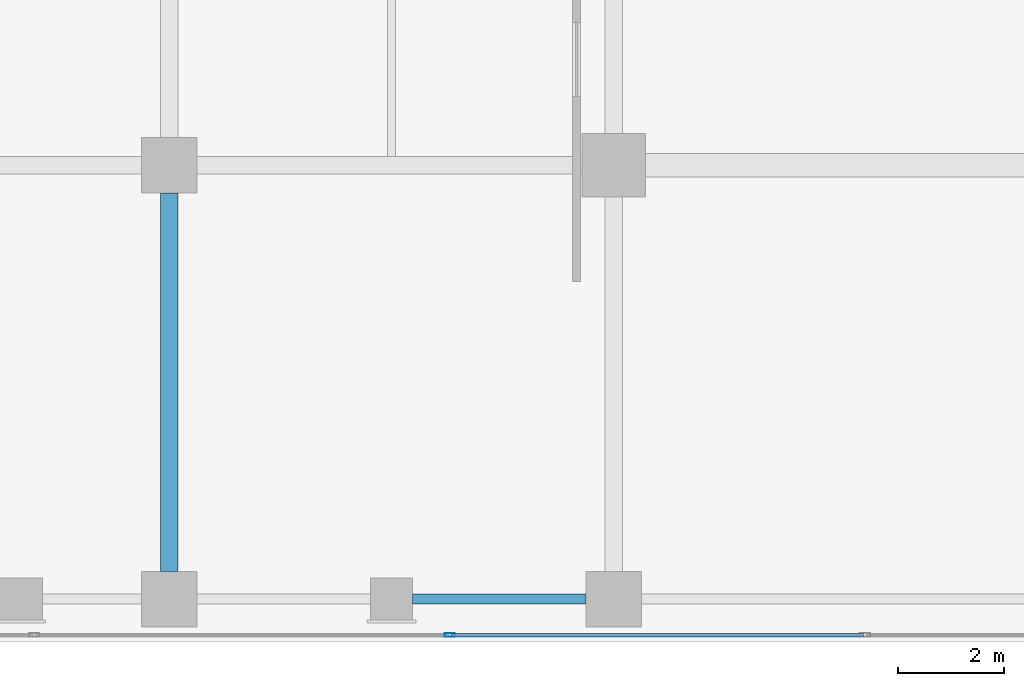
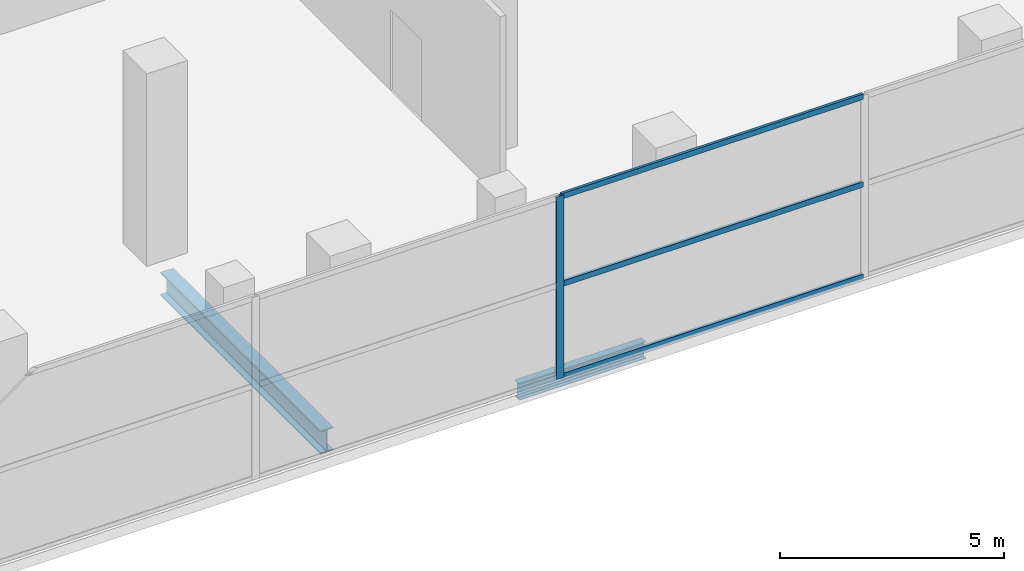
# One storey, part 6 of 40: 4 members, 2 beams, 1 element without a shape of its own.
"""IFC4 building model written with IfcOpenShell, lengths in metres."""

from ifc_helpers import new_model, si_unit, direction, frame, origin, origin_2d, place, context, subcontext, project, spatial, hollow_rectangle, i_section, extrude, material, layer, layer_set, material_profile, profile_set, type_object, element, aggregate, save


model = new_model("IFC4")

# Units and contexts
model_context = context("Model", 3, precision=1e-05, world=origin(), true_north=direction((0.0, 1.0)))
body_context = subcontext(model_context, "Body", "Model", "MODEL_VIEW")
ifc_project = project(units=[si_unit("LENGTHUNIT", "METRE"), si_unit("AREAUNIT", "SQUARE_METRE"), si_unit("VOLUMEUNIT", "CUBIC_METRE"), si_unit("PLANEANGLEUNIT", "RADIAN"), si_unit("MASSUNIT", "GRAM", prefix="KILO")], contexts=[model_context])

# Site, building, storey
site_placement = place(None, origin())
site = spatial("IfcSite", under=ifc_project, at=site_placement, CompositionType="ELEMENT")
building_placement = place(site_placement, origin())
building = spatial("IfcBuilding", under=site, at=building_placement, Name="Maruvema Waterfront Hotel and Observation Tower", CompositionType="ELEMENT")
storey_placement = place(building_placement, frame((0.0, 0.0, 5.60009765625)))
storey = spatial("IfcBuildingStorey", under=building, at=storey_placement, Name="L01", CompositionType="ELEMENT", Elevation=5.60009765625)

# Curtain wall, members
ifc_material_1 = material(Name="Anodised bronze aluminium and solar-control low-E IGU", Category="aluminium")
ifc_layer = layer(ifc_material_1, 0.159912109375, Name="Podium Waterfront Storefront Curtain Wall System CW-01")
ifc_layer_set = layer_set([ifc_layer], Name="Anodised bronze aluminium and solar-control low-E IGU")
curtain_wall_type = type_object("IfcCurtainWallType", Name="Podium Waterfront Storefront Curtain Wall System CW-01", PredefinedType="USERDEFINED", material=ifc_layer_set)
curtain_wall_placement = place(storey_placement, origin())
curtain_wall = element("IfcCurtainWall", 1, at=curtain_wall_placement, inside=storey, type_object=curtain_wall_type, Name="L01 Curtain Wall CW-L01-S", ObjectType="UNITISED CURTAIN WALL", PredefinedType="USERDEFINED")
ifc_material_2 = material(Name="Anodised architectural bronze aluminium", Category="aluminium")
ifc_material_profile_1 = material_profile(ifc_material_2, hollow_rectangle(XDim=0.070068359375, YDim=0.14990234375, WallThickness=0.00390625, at=origin_2d()), Name="ALU-T70x150")
ifc_profile_set_1 = profile_set([ifc_material_profile_1], Name="Anodised architectural bronze aluminium")
member_type_1 = type_object("IfcMemberType", Name="Curtain Wall Horizontal Transom ALU-T70x150", PredefinedType="USERDEFINED", material=ifc_profile_set_1)
member_1_placement = place(storey_placement, frame((22.1298828125, 0.1201171875, 0.02978515625), z_axis=(1.0, 0.0, 0.0), x_axis=(0.0, 1.0, 0.0)))
member_1 = element("IfcMember", 2, at=member_1_placement, type_object=member_type_1, Name="CW-01 transom 3.1", ObjectType="TRANSOM", PredefinedType="USERDEFINED", context=body_context, shape_type="SweptSolid", body=[
    extrude(hollow_rectangle(XDim=0.070068359375, YDim=0.14990234375, WallThickness=0.00390625, at=origin_2d()), origin(), (0.0, 0.0, 1.0), 7.7900390625),
])
member_2_placement = place(storey_placement, frame((22.1298828125, 0.1201171875, 2.5498046875), z_axis=(1.0, 0.0, 0.0), x_axis=(0.0, 1.0, 0.0)))
member_2 = element("IfcMember", 3, at=member_2_placement, type_object=member_type_1, Name="CW-01 transom 3.2", ObjectType="TRANSOM", PredefinedType="USERDEFINED", context=body_context, shape_type="SweptSolid", body=[
    extrude(hollow_rectangle(XDim=0.070068359375, YDim=0.14990234375, WallThickness=0.00390625, at=origin_2d()), origin(), (0.0, 0.0, 1.0), 7.7900390625),
])
member_3_placement = place(storey_placement, frame((22.1298828125, 0.1201171875, 4.93994140625), z_axis=(1.0, 0.0, 0.0), x_axis=(0.0, 1.0, 0.0)))
member_3 = element("IfcMember", 4, at=member_3_placement, type_object=member_type_1, Name="CW-01 transom 3.3", ObjectType="TRANSOM", PredefinedType="USERDEFINED", context=body_context, shape_type="SweptSolid", body=[
    extrude(hollow_rectangle(XDim=0.070068359375, YDim=0.14990234375, WallThickness=0.00390625, at=origin_2d()), origin(), (0.0, 0.0, 1.0), 7.7900390625),
])

# Beam
ifc_material_3 = material(Name="Steel ASTM A572 Grade 50", Category="steel")
ifc_material_profile_2 = material_profile(ifc_material_3, i_section(OverallWidth=0.18994140625, OverallDepth=0.45703125, WebThickness=0.009033203125, FlangeThickness=0.014404296875, FilletRadius=0.014892578125, at=origin_2d()), Name="W460x74.0")
ifc_profile_set_2 = profile_set([ifc_material_profile_2], Name="Steel ASTM A572 Grade 50")
beam_type_1 = type_object("IfcBeamType", Name="Perimeter Spandrel Beam W460x74.0", PredefinedType="SPANDREL", material=ifc_profile_set_2)
beam_1_placement = place(storey_placement, frame((21.39990234375, 0.800048828125, -0.508544921875), z_axis=(1.0, 0.0, 0.0), x_axis=(0.0, 1.0, 0.0)))
element("IfcBeam", 5, at=beam_1_placement, inside=storey, type_object=beam_type_1, Name="L01 Floor Girder EW-03", PredefinedType="SPANDREL", context=body_context, shape_type="SweptSolid", body=[
    extrude(i_section(OverallWidth=0.18994140625, OverallDepth=0.45703125, WebThickness=0.009033203125, FlangeThickness=0.014404296875, FilletRadius=0.014892578125, at=origin_2d()), origin(), (0.0, 0.0, 1.0), 3.275146484375),
])

# Member
ifc_material_4 = material(Name="Anodised architectural bronze aluminium", Category="aluminium")
ifc_material_profile_3 = material_profile(ifc_material_4, hollow_rectangle(XDim=0.070068359375, YDim=0.18994140625, WallThickness=0.00390625, at=origin_2d()), Name="ALU-M70x190")
ifc_profile_set_3 = profile_set([ifc_material_profile_3], Name="Anodised architectural bronze aluminium")
member_type_2 = type_object("IfcMemberType", Name="Podium Storefront Heavy Mullion ALU-M70x190", PredefinedType="MULLION", material=ifc_profile_set_3)
member_4_placement = place(storey_placement, frame((22.10009765625, 0.1201171875, 0.0), z_axis=(0.0, 0.0, 1.0), x_axis=(0.0, 1.0, 0.0)))
member_4 = element("IfcMember", 6, at=member_4_placement, type_object=member_type_2, Name="CW-01 mullion 3", PredefinedType="MULLION", context=body_context, shape_type="SweptSolid", body=[
    extrude(hollow_rectangle(XDim=0.070068359375, YDim=0.18994140625, WallThickness=0.00390625, at=origin_2d()), origin(), (0.0, 0.0, 1.0), 4.969970703125),
])

aggregate(curtain_wall, [member_4, member_1, member_2, member_3])

# Beam
ifc_material_5 = material(Name="Steel ASTM A572 Grade 50", Category="steel")
ifc_material_profile_4 = material_profile(ifc_material_5, i_section(OverallWidth=0.3291015625, OverallDepth=0.635009765625, WebThickness=0.017822265625, FlangeThickness=0.031005859375, FilletRadius=0.01806640625, at=origin_2d()), Name="W610x241.0")
ifc_profile_set_4 = profile_set([ifc_material_profile_4], Name="Steel ASTM A572 Grade 50")
beam_type_2 = type_object("IfcBeamType", Name="Primary Floor Girder W610x241.0", PredefinedType="BEAM", material=ifc_profile_set_4)
beam_2_placement = place(storey_placement, frame((16.800048828125, 1.324951171875, -0.59765625), z_axis=(0.0, 1.0, 0.0), x_axis=(-1.0, 0.0, 0.0)))
element("IfcBeam", 7, at=beam_2_placement, inside=storey, type_object=beam_type_2, Name="L01 Floor Girder NS-07", PredefinedType="BEAM", context=body_context, shape_type="SweptSolid", body=[
    extrude(i_section(OverallWidth=0.3291015625, OverallDepth=0.635009765625, WebThickness=0.017822265625, FlangeThickness=0.031005859375, FilletRadius=0.01806640625, at=origin_2d()), origin(), (0.0, 0.0, 1.0), 7.150146484375),
])

save(model, "model.ifc")
